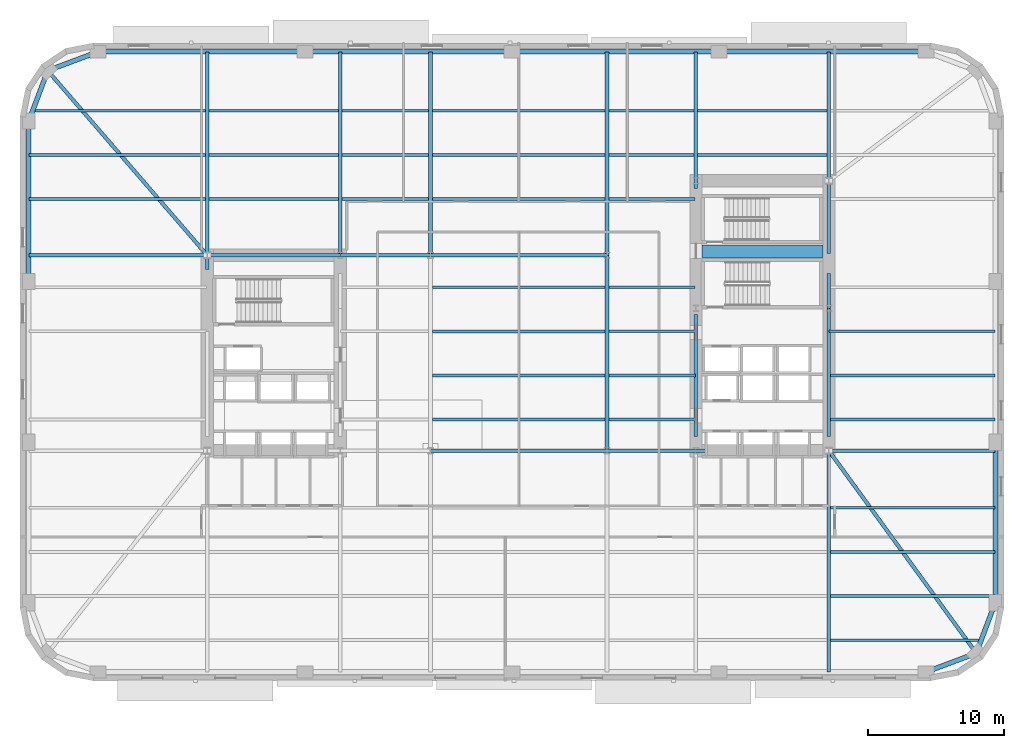
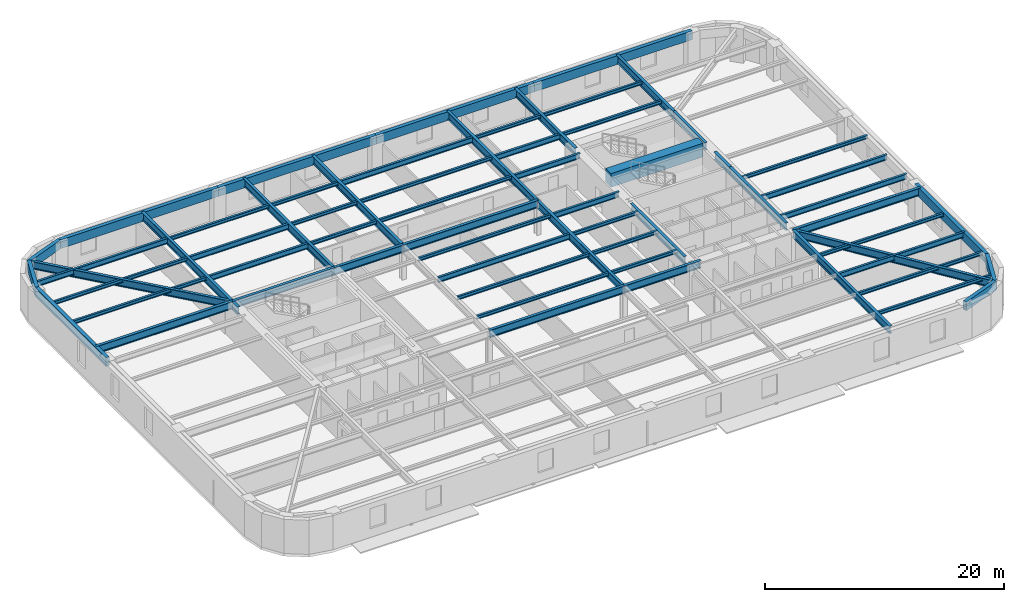
# One storey, part 2 of 15: 64 beams.
"""IFC4 building model written with IfcOpenShell, lengths in metres."""

from ifc_helpers import new_model, si_unit, direction, frame, origin, origin_2d, place, context, subcontext, project, spatial, rectangle, hollow_rectangle, i_section, extrude, material, material_profile, profile_set, type_object, element, save


model = new_model("IFC4")

# Units and contexts
model_context = context("Model", 3, precision=1e-05, world=origin(), true_north=direction((0.0, 1.0)))
body_context = subcontext(model_context, "Body", "Model", "MODEL_VIEW")
ifc_project = project(units=[si_unit("LENGTHUNIT", "METRE"), si_unit("AREAUNIT", "SQUARE_METRE"), si_unit("VOLUMEUNIT", "CUBIC_METRE"), si_unit("PLANEANGLEUNIT", "RADIAN"), si_unit("MASSUNIT", "GRAM", prefix="KILO")], contexts=[model_context])

# Site, building, storey
site_placement = place(None, origin())
site = spatial("IfcSite", under=ifc_project, at=site_placement, CompositionType="ELEMENT")
building_placement = place(site_placement, origin())
building = spatial("IfcBuilding", under=site, at=building_placement, Name="Kolvaren Arena Tower", CompositionType="ELEMENT")
storey_placement = place(building_placement, frame((0.0, 0.0, 45.75)))
storey = spatial("IfcBuildingStorey", under=building, at=storey_placement, Name="L08", CompositionType="ELEMENT", Elevation=45.75)

# Beams
ifc_material_1 = material(Name="Steel CSA G40.21 350W", Category="steel")
ifc_material_profile_1 = material_profile(ifc_material_1, i_section(OverallWidth=0.2119140625, OverallDepth=0.54296875, WebThickness=0.01318359375, FlangeThickness=0.0244140625, FilletRadius=0.013916015625, at=origin_2d()), Name="W530x150")
ifc_profile_set_1 = profile_set([ifc_material_profile_1], Name="Steel CSA G40.21 350W")
beam_type_1 = type_object("IfcBeamType", Name="BEAM-F1", PredefinedType="BEAM", material=ifc_profile_set_1)
beam_1_placement = place(storey_placement, frame((60.485107421875, 12.0, 3.20849609375), z_axis=(1.0, 0.0, 0.0), x_axis=(0.0, 1.0, 0.0)))
element("IfcBeam", 1, at=beam_1_placement, inside=storey, type_object=beam_type_1, Name="Composite Floor Beam (L08)", PredefinedType="BEAM", context=body_context, shape_type="SweptSolid", body=[
    extrude(i_section(OverallWidth=0.2119140625, OverallDepth=0.54296875, WebThickness=0.01318359375, FlangeThickness=0.0244140625, FilletRadius=0.013916015625, at=origin_2d()), origin(), (0.0, 0.0, 1.0), 12.114990234375),
])
for number, where, z_axis, x_axis, name in (
    (2, (60.3701171875, 21.75, 3.20849609375), (1.0, 0.0, 0.0), (0.0, 1.0, 0.0), "Composite Floor Beam (L08)"),
    (3, (60.3701171875, 25.0, 3.20849609375), (1.0, 0.0, 0.0), (0.0, 1.0, 0.0), "Composite Floor Beam (L08)"),
):
    element("IfcBeam", number, at=place(storey_placement, frame(where, z_axis=z_axis, x_axis=x_axis)), inside=storey, type_object=beam_type_1, Name=name, PredefinedType="BEAM", context=body_context, shape_type="SweptSolid", body=[
        extrude(i_section(OverallWidth=0.2119140625, OverallDepth=0.54296875, WebThickness=0.01318359375, FlangeThickness=0.0244140625, FilletRadius=0.013916015625, at=origin_2d()), origin(), (0.0, 0.0, 1.0), 12.22998046875),
    ])
beam_2_placement = place(storey_placement, frame((31.135009765625, 28.25, 3.20849609375), z_axis=(1.0, 0.0, 0.0), x_axis=(0.0, 1.0, 0.0)))
element("IfcBeam", 4, at=beam_2_placement, inside=storey, type_object=beam_type_1, Name="Composite Floor Beam (L08)", PredefinedType="BEAM", context=body_context, shape_type="SweptSolid", body=[
    extrude(i_section(OverallWidth=0.2119140625, OverallDepth=0.54296875, WebThickness=0.01318359375, FlangeThickness=0.0244140625, FilletRadius=0.013916015625, at=origin_2d()), origin(), (0.0, 0.0, 1.0), 12.72998046875),
])
beam_3_placement = place(storey_placement, frame((44.135009765625, 31.5, 3.20849609375), z_axis=(1.0, 0.0, 0.0), x_axis=(0.0, 1.0, 0.0)))
element("IfcBeam", 5, at=beam_3_placement, inside=storey, type_object=beam_type_1, Name="Composite Floor Beam (L08)", PredefinedType="BEAM", context=body_context, shape_type="SweptSolid", body=[
    extrude(i_section(OverallWidth=0.2119140625, OverallDepth=0.54296875, WebThickness=0.01318359375, FlangeThickness=0.0244140625, FilletRadius=0.013916015625, at=origin_2d()), origin(), (0.0, 0.0, 1.0), 6.344970703125),
])
beam_4_placement = place(storey_placement, frame((14.68505859375, 38.0, 3.20849609375), z_axis=(1.0, 0.0, 0.0), x_axis=(0.0, 1.0, 0.0)))
element("IfcBeam", 6, at=beam_4_placement, inside=storey, type_object=beam_type_1, Name="Composite Floor Beam (L08)", PredefinedType="BEAM", context=body_context, shape_type="SweptSolid", body=[
    extrude(i_section(OverallWidth=0.2119140625, OverallDepth=0.54296875, WebThickness=0.01318359375, FlangeThickness=0.0244140625, FilletRadius=0.013916015625, at=origin_2d()), origin(), (0.0, 0.0, 1.0), 9.530029296875),
])
beam_5_placement = place(storey_placement, frame((44.135009765625, 38.0, 3.20849609375), z_axis=(1.0, 0.0, 0.0), x_axis=(0.0, 1.0, 0.0)))
element("IfcBeam", 7, at=beam_5_placement, inside=storey, type_object=beam_type_1, Name="Composite Floor Beam (L08)", PredefinedType="BEAM", context=body_context, shape_type="SweptSolid", body=[
    extrude(i_section(OverallWidth=0.2119140625, OverallDepth=0.54296875, WebThickness=0.01318359375, FlangeThickness=0.0244140625, FilletRadius=0.013916015625, at=origin_2d()), origin(), (0.0, 0.0, 1.0), 6.344970703125),
])
beam_6_placement = place(storey_placement, frame((14.68505859375, 41.25, 3.20849609375), z_axis=(1.0, 0.0, 0.0), x_axis=(0.0, 1.0, 0.0)))
element("IfcBeam", 8, at=beam_6_placement, inside=storey, type_object=beam_type_1, Name="Composite Floor Beam (L08)", PredefinedType="BEAM", context=body_context, shape_type="SweptSolid", body=[
    extrude(i_section(OverallWidth=0.2119140625, OverallDepth=0.54296875, WebThickness=0.01318359375, FlangeThickness=0.0244140625, FilletRadius=0.013916015625, at=origin_2d()), origin(), (0.0, 0.0, 1.0), 9.530029296875),
])
beam_7_placement = place(storey_placement, frame((44.135009765625, 41.25, 3.20849609375), z_axis=(1.0, 0.0, 0.0), x_axis=(0.0, 1.0, 0.0)))
element("IfcBeam", 9, at=beam_7_placement, inside=storey, type_object=beam_type_1, Name="Composite Floor Beam (L08)", PredefinedType="BEAM", context=body_context, shape_type="SweptSolid", body=[
    extrude(i_section(OverallWidth=0.2119140625, OverallDepth=0.54296875, WebThickness=0.01318359375, FlangeThickness=0.0244140625, FilletRadius=0.013916015625, at=origin_2d()), origin(), (0.0, 0.0, 1.0), 6.280029296875),
])
beam_8_placement = place(storey_placement, frame((1.681396484375, 44.5, 3.20849609375), z_axis=(1.0, 0.0, 0.0), x_axis=(0.0, 1.0, 0.0)))
element("IfcBeam", 10, at=beam_8_placement, inside=storey, type_object=beam_type_1, Name="Composite Floor Beam (L08)", PredefinedType="BEAM", context=body_context, shape_type="SweptSolid", body=[
    extrude(i_section(OverallWidth=0.2119140625, OverallDepth=0.54296875, WebThickness=0.01318359375, FlangeThickness=0.0244140625, FilletRadius=0.013916015625, at=origin_2d()), origin(), (0.0, 0.0, 1.0), 12.733642578125),
])
beam_9_placement = place(storey_placement, frame((31.135009765625, 44.5, 3.20849609375), z_axis=(1.0, 0.0, 0.0), x_axis=(0.0, 1.0, 0.0)))
element("IfcBeam", 11, at=beam_9_placement, inside=storey, type_object=beam_type_1, Name="Composite Floor Beam (L08)", PredefinedType="BEAM", context=body_context, shape_type="SweptSolid", body=[
    extrude(i_section(OverallWidth=0.2119140625, OverallDepth=0.54296875, WebThickness=0.01318359375, FlangeThickness=0.0244140625, FilletRadius=0.013916015625, at=origin_2d()), origin(), (0.0, 0.0, 1.0), 12.72998046875),
])
ifc_material_2 = material(Name="Concrete 75 MPa", Category="concrete")
ifc_material_profile_2 = material_profile(ifc_material_2, rectangle(XDim=0.89990234375, YDim=1.39990234375, at=origin_2d()), Name="RC-900x1400")
ifc_profile_set_2 = profile_set([ifc_material_profile_2], Name="Concrete 75 MPa")
beam_type_2 = type_object("IfcBeamType", Name="CB-CORE-1", PredefinedType="BEAM", material=ifc_profile_set_2)
beam_10_placement = place(storey_placement, frame((51.0, 34.14990234375, 3.050048828125), z_axis=(1.0, 0.0, 0.0), x_axis=(0.0, 1.0, 0.0)))
element("IfcBeam", 12, at=beam_10_placement, inside=storey, type_object=beam_type_2, Name="East Core Coupling Beam (L08)", PredefinedType="BEAM", context=body_context, shape_type="SweptSolid", body=[
    extrude(rectangle(XDim=0.89990234375, YDim=1.39990234375, at=origin_2d()), origin(), (0.0, 0.0, 1.0), 8.89990234375),
])
ifc_material_profile_3 = material_profile(ifc_material_1, i_section(OverallWidth=0.27001953125, OverallDepth=0.77294921875, WebThickness=0.019287109375, FlangeThickness=0.033447265625, FilletRadius=0.01806640625, at=origin_2d()), Name="W760x257")
ifc_profile_set_3 = profile_set([ifc_material_profile_3], Name="Steel CSA G40.21 350W")
beam_type_3 = type_object("IfcBeamType", Name="GIRD-T1", PredefinedType="BEAM", material=ifc_profile_set_3)
beam_11_placement = place(storey_placement, frame((71.208740234375, 4.541259765625, 3.093505859375), z_axis=(-0.588737448901, 0.80832432616, 0.0), x_axis=(-0.80832432616, -0.588737448901, 0.0)))
element("IfcBeam", 13, at=beam_11_placement, inside=storey, type_object=beam_type_3, Name="Corner Diagonal Tie Girder (L08)", PredefinedType="BEAM", context=body_context, shape_type="SweptSolid", body=[
    extrude(i_section(OverallWidth=0.27001953125, OverallDepth=0.77294921875, WebThickness=0.019287109375, FlangeThickness=0.033447265625, FilletRadius=0.01806640625, at=origin_2d()), origin(), (0.0, 0.0, 1.0), 18.44384765625),
])
beam_12_placement = place(storey_placement, frame((2.791259765625, 47.458740234375, 3.093505859375), z_axis=(0.653806810332, -0.756661519283, 0.0), x_axis=(0.756661519283, 0.653806810332, 0.0)))
element("IfcBeam", 14, at=beam_12_placement, inside=storey, type_object=beam_type_3, Name="Corner Diagonal Tie Girder (L08)", PredefinedType="BEAM", context=body_context, shape_type="SweptSolid", body=[
    extrude(i_section(OverallWidth=0.27001953125, OverallDepth=0.77294921875, WebThickness=0.019287109375, FlangeThickness=0.033447265625, FilletRadius=0.01806640625, at=origin_2d()), origin(), (0.0, 0.0, 1.0), 17.985107421875),
])
beam_13_placement = place(storey_placement, frame((31.0, 19.449951171875, 3.093505859375), z_axis=(1.0, 0.0, 0.0), x_axis=(0.0, 1.0, 0.0)))
element("IfcBeam", 15, at=beam_13_placement, inside=storey, type_object=beam_type_3, Name="Primary Floor Girder (L08)", PredefinedType="BEAM", context=body_context, shape_type="SweptSolid", body=[
    extrude(i_section(OverallWidth=0.27001953125, OverallDepth=0.77294921875, WebThickness=0.019287109375, FlangeThickness=0.033447265625, FilletRadius=0.01806640625, at=origin_2d()), origin(), (0.0, 0.0, 1.0), 13.0),
])
beam_14_placement = place(storey_placement, frame((44.0, 19.449951171875, 3.093505859375), z_axis=(1.0, 0.0, 0.0), x_axis=(0.0, 1.0, 0.0)))
element("IfcBeam", 16, at=beam_14_placement, inside=storey, type_object=beam_type_3, Name="Primary Floor Girder (L08)", PredefinedType="BEAM", context=body_context, shape_type="SweptSolid", body=[
    extrude(i_section(OverallWidth=0.27001953125, OverallDepth=0.77294921875, WebThickness=0.019287109375, FlangeThickness=0.033447265625, FilletRadius=0.01806640625, at=origin_2d()), origin(), (0.0, 0.0, 1.0), 7.4150390625),
])
beam_15_placement = place(storey_placement, frame((60.35009765625, 19.449951171875, 3.093505859375), z_axis=(1.0, 0.0, 0.0), x_axis=(0.0, 1.0, 0.0)))
element("IfcBeam", 17, at=beam_15_placement, inside=storey, type_object=beam_type_3, Name="Primary Floor Girder (L08)", PredefinedType="BEAM", context=body_context, shape_type="SweptSolid", body=[
    extrude(i_section(OverallWidth=0.27001953125, OverallDepth=0.77294921875, WebThickness=0.019287109375, FlangeThickness=0.033447265625, FilletRadius=0.01806640625, at=origin_2d()), origin(), (0.0, 0.0, 1.0), 12.25),
])
beam_16_placement = place(storey_placement, frame((1.39990234375, 33.85009765625, 3.093505859375), z_axis=(1.0, 0.0, 0.0), x_axis=(0.0, 1.0, 0.0)))
element("IfcBeam", 18, at=beam_16_placement, inside=storey, type_object=beam_type_3, Name="Primary Floor Girder (L08)", PredefinedType="BEAM", context=body_context, shape_type="SweptSolid", body=[
    extrude(i_section(OverallWidth=0.27001953125, OverallDepth=0.77294921875, WebThickness=0.019287109375, FlangeThickness=0.033447265625, FilletRadius=0.01806640625, at=origin_2d()), origin(), (0.0, 0.0, 1.0), 13.150146484375),
])
beam_17_placement = place(storey_placement, frame((14.550048828125, 33.85009765625, 3.093505859375), z_axis=(1.0, 0.0, 0.0), x_axis=(0.0, 1.0, 0.0)))
element("IfcBeam", 19, at=beam_17_placement, inside=storey, type_object=beam_type_3, Name="Primary Floor Girder (L08)", PredefinedType="BEAM", context=body_context, shape_type="SweptSolid", body=[
    extrude(i_section(OverallWidth=0.27001953125, OverallDepth=0.77294921875, WebThickness=0.019287109375, FlangeThickness=0.033447265625, FilletRadius=0.01806640625, at=origin_2d()), origin(), (0.0, 0.0, 1.0), 9.800048828125),
])
beam_18_placement = place(storey_placement, frame((24.35009765625, 33.85009765625, 3.093505859375), z_axis=(1.0, 0.0, 0.0), x_axis=(0.0, 1.0, 0.0)))
element("IfcBeam", 20, at=beam_18_placement, inside=storey, type_object=beam_type_3, Name="Primary Floor Girder (L08)", PredefinedType="BEAM", context=body_context, shape_type="SweptSolid", body=[
    extrude(i_section(OverallWidth=0.27001953125, OverallDepth=0.77294921875, WebThickness=0.019287109375, FlangeThickness=0.033447265625, FilletRadius=0.01806640625, at=origin_2d()), origin(), (0.0, 0.0, 1.0), 6.64990234375),
])
beam_19_placement = place(storey_placement, frame((31.0, 33.85009765625, 3.093505859375), z_axis=(1.0, 0.0, 0.0), x_axis=(0.0, 1.0, 0.0)))
element("IfcBeam", 21, at=beam_19_placement, inside=storey, type_object=beam_type_3, Name="Primary Floor Girder (L08)", PredefinedType="BEAM", context=body_context, shape_type="SweptSolid", body=[
    extrude(i_section(OverallWidth=0.27001953125, OverallDepth=0.77294921875, WebThickness=0.019287109375, FlangeThickness=0.033447265625, FilletRadius=0.01806640625, at=origin_2d()), origin(), (0.0, 0.0, 1.0), 13.0),
])
beam_20_placement = place(storey_placement, frame((14.550048828125, 32.7900390625, 3.093505859375), z_axis=(0.0, 1.0, 0.0), x_axis=(-1.0, 0.0, 0.0)))
element("IfcBeam", 22, at=beam_20_placement, inside=storey, type_object=beam_type_3, Name="Primary Floor Girder (L08)", PredefinedType="BEAM", context=body_context, shape_type="SweptSolid", body=[
    extrude(i_section(OverallWidth=0.27001953125, OverallDepth=0.77294921875, WebThickness=0.019287109375, FlangeThickness=0.033447265625, FilletRadius=0.01806640625, at=origin_2d()), origin(), (0.0, 0.0, 1.0), 16.06005859375),
])
for number, where, z_axis, x_axis, name in (
    (23, (24.35009765625, 33.85009765625, 3.093505859375), (0.0, 1.0, 0.0), (-1.0, 0.0, 0.0), "Primary Floor Girder (L08)"),
    (24, (31.0, 33.85009765625, 3.093505859375), (0.0, 1.0, 0.0), (-1.0, 0.0, 0.0), "Primary Floor Girder (L08)"),
):
    element("IfcBeam", number, at=place(storey_placement, frame(where, z_axis=z_axis, x_axis=x_axis)), inside=storey, type_object=beam_type_3, Name=name, PredefinedType="BEAM", context=body_context, shape_type="SweptSolid", body=[
        extrude(i_section(OverallWidth=0.27001953125, OverallDepth=0.77294921875, WebThickness=0.019287109375, FlangeThickness=0.033447265625, FilletRadius=0.01806640625, at=origin_2d()), origin(), (0.0, 0.0, 1.0), 15.0),
    ])
beam_21_placement = place(storey_placement, frame((44.0, 19.449951171875, 3.093505859375), z_axis=(0.0, 1.0, 0.0), x_axis=(-1.0, 0.0, 0.0)))
element("IfcBeam", 25, at=beam_21_placement, inside=storey, type_object=beam_type_3, Name="Primary Floor Girder (L08)", PredefinedType="BEAM", context=body_context, shape_type="SweptSolid", body=[
    extrude(i_section(OverallWidth=0.27001953125, OverallDepth=0.77294921875, WebThickness=0.019287109375, FlangeThickness=0.033447265625, FilletRadius=0.01806640625, at=origin_2d()), origin(), (0.0, 0.0, 1.0), 14.400146484375),
])
beam_22_placement = place(storey_placement, frame((44.0, 33.85009765625, 3.093505859375), z_axis=(0.0, 1.0, 0.0), x_axis=(-1.0, 0.0, 0.0)))
element("IfcBeam", 26, at=beam_22_placement, inside=storey, type_object=beam_type_3, Name="Primary Floor Girder (L08)", PredefinedType="BEAM", context=body_context, shape_type="SweptSolid", body=[
    extrude(i_section(OverallWidth=0.27001953125, OverallDepth=0.77294921875, WebThickness=0.019287109375, FlangeThickness=0.033447265625, FilletRadius=0.01806640625, at=origin_2d()), origin(), (0.0, 0.0, 1.0), 15.0),
])
beam_23_placement = place(storey_placement, frame((50.550048828125, 20.5, 3.093505859375), z_axis=(0.0, 1.0, 0.0), x_axis=(-1.0, 0.0, 0.0)))
element("IfcBeam", 27, at=beam_23_placement, inside=storey, type_object=beam_type_3, Name="Primary Floor Girder (L08)", PredefinedType="BEAM", context=body_context, shape_type="SweptSolid", body=[
    extrude(i_section(OverallWidth=0.27001953125, OverallDepth=0.77294921875, WebThickness=0.019287109375, FlangeThickness=0.033447265625, FilletRadius=0.01806640625, at=origin_2d()), origin(), (0.0, 0.0, 1.0), 8.989990234375),
])
beam_24_placement = place(storey_placement, frame((50.550048828125, 38.760009765625, 3.093505859375), z_axis=(0.0, 1.0, 0.0), x_axis=(-1.0, 0.0, 0.0)))
element("IfcBeam", 28, at=beam_24_placement, inside=storey, type_object=beam_type_3, Name="Primary Floor Girder (L08)", PredefinedType="BEAM", context=body_context, shape_type="SweptSolid", body=[
    extrude(i_section(OverallWidth=0.27001953125, OverallDepth=0.77294921875, WebThickness=0.019287109375, FlangeThickness=0.033447265625, FilletRadius=0.01806640625, at=origin_2d()), origin(), (0.0, 0.0, 1.0), 10.090087890625),
])
beam_25_placement = place(storey_placement, frame((60.35009765625, 3.14990234375, 3.093505859375), z_axis=(0.0, 1.0, 0.0), x_axis=(-1.0, 0.0, 0.0)))
element("IfcBeam", 29, at=beam_25_placement, inside=storey, type_object=beam_type_3, Name="Primary Floor Girder (L08)", PredefinedType="BEAM", context=body_context, shape_type="SweptSolid", body=[
    extrude(i_section(OverallWidth=0.27001953125, OverallDepth=0.77294921875, WebThickness=0.019287109375, FlangeThickness=0.033447265625, FilletRadius=0.01806640625, at=origin_2d()), origin(), (0.0, 0.0, 1.0), 16.300048828125),
])
beam_26_placement = place(storey_placement, frame((60.35009765625, 20.5, 3.093505859375), z_axis=(0.0, 1.0, 0.0), x_axis=(-1.0, 0.0, 0.0)))
element("IfcBeam", 30, at=beam_26_placement, inside=storey, type_object=beam_type_3, Name="Primary Floor Girder (L08)", PredefinedType="BEAM", context=body_context, shape_type="SweptSolid", body=[
    extrude(i_section(OverallWidth=0.27001953125, OverallDepth=0.77294921875, WebThickness=0.019287109375, FlangeThickness=0.033447265625, FilletRadius=0.01806640625, at=origin_2d()), origin(), (0.0, 0.0, 1.0), 9.449951171875),
])
beam_27_placement = place(storey_placement, frame((60.35009765625, 29.949951171875, 3.093505859375), z_axis=(0.0, 1.0, 0.0), x_axis=(-1.0, 0.0, 0.0)))
element("IfcBeam", 31, at=beam_27_placement, inside=storey, type_object=beam_type_3, Name="Primary Floor Girder (L08)", PredefinedType="BEAM", context=body_context, shape_type="SweptSolid", body=[
    extrude(i_section(OverallWidth=0.27001953125, OverallDepth=0.77294921875, WebThickness=0.019287109375, FlangeThickness=0.033447265625, FilletRadius=0.01806640625, at=origin_2d()), origin(), (0.0, 0.0, 1.0), 2.550048828125),
])
beam_28_placement = place(storey_placement, frame((60.35009765625, 33.985107421875, 3.093505859375), z_axis=(0.0, 1.0, 0.0), x_axis=(-1.0, 0.0, 0.0)))
element("IfcBeam", 32, at=beam_28_placement, inside=storey, type_object=beam_type_3, Name="Primary Floor Girder (L08)", PredefinedType="BEAM", context=body_context, shape_type="SweptSolid", body=[
    extrude(i_section(OverallWidth=0.27001953125, OverallDepth=0.77294921875, WebThickness=0.019287109375, FlangeThickness=0.033447265625, FilletRadius=0.01806640625, at=origin_2d()), origin(), (0.0, 0.0, 1.0), 5.364990234375),
])
beam_29_placement = place(storey_placement, frame((60.35009765625, 39.35009765625, 3.093505859375), z_axis=(0.0, 1.0, 0.0), x_axis=(-1.0, 0.0, 0.0)))
element("IfcBeam", 33, at=beam_29_placement, inside=storey, type_object=beam_type_3, Name="Primary Floor Girder (L08)", PredefinedType="BEAM", context=body_context, shape_type="SweptSolid", body=[
    extrude(i_section(OverallWidth=0.27001953125, OverallDepth=0.77294921875, WebThickness=0.019287109375, FlangeThickness=0.033447265625, FilletRadius=0.01806640625, at=origin_2d()), origin(), (0.0, 0.0, 1.0), 9.5),
])
ifc_material_profile_4 = material_profile(ifc_material_1, i_section(OverallWidth=0.202880859375, OverallDepth=0.346923828125, WebThickness=0.0078125, FlangeThickness=0.013427734375, FilletRadius=0.010986328125, at=origin_2d()), Name="W360x64")
ifc_profile_set_4 = profile_set([ifc_material_profile_4], Name="Steel CSA G40.21 350W")
beam_type_4 = type_object("IfcBeamType", Name="JOIST-01", PredefinedType="JOIST", material=ifc_profile_set_4)
beam_30_placement = place(storey_placement, frame((60.485107421875, 5.5, 3.306396484375), z_axis=(1.0, 0.0, 0.0), x_axis=(0.0, 1.0, 0.0)))
element("IfcBeam", 34, at=beam_30_placement, inside=storey, type_object=beam_type_4, Name="Composite Floor Joist (L08)", PredefinedType="JOIST", context=body_context, shape_type="SweptSolid", body=[
    extrude(i_section(OverallWidth=0.202880859375, OverallDepth=0.346923828125, WebThickness=0.0078125, FlangeThickness=0.013427734375, FilletRadius=0.010986328125, at=origin_2d()), origin(), (0.0, 0.0, 1.0), 11.08349609375),
])
for number, where, z_axis, x_axis, name in (
    (35, (60.485107421875, 8.75, 3.306396484375), (1.0, 0.0, 0.0), (0.0, 1.0, 0.0), "Composite Floor Joist (L08)"),
    (36, (60.485107421875, 15.25, 3.306396484375), (1.0, 0.0, 0.0), (0.0, 1.0, 0.0), "Composite Floor Joist (L08)"),
):
    element("IfcBeam", number, at=place(storey_placement, frame(where, z_axis=z_axis, x_axis=x_axis)), inside=storey, type_object=beam_type_4, Name=name, PredefinedType="JOIST", context=body_context, shape_type="SweptSolid", body=[
        extrude(i_section(OverallWidth=0.202880859375, OverallDepth=0.346923828125, WebThickness=0.0078125, FlangeThickness=0.013427734375, FilletRadius=0.010986328125, at=origin_2d()), origin(), (0.0, 0.0, 1.0), 12.114990234375),
    ])
beam_31_placement = place(storey_placement, frame((31.135009765625, 21.75, 3.306396484375), z_axis=(1.0, 0.0, 0.0), x_axis=(0.0, 1.0, 0.0)))
element("IfcBeam", 37, at=beam_31_placement, inside=storey, type_object=beam_type_4, Name="Composite Floor Joist (L08)", PredefinedType="JOIST", context=body_context, shape_type="SweptSolid", body=[
    extrude(i_section(OverallWidth=0.202880859375, OverallDepth=0.346923828125, WebThickness=0.0078125, FlangeThickness=0.013427734375, FilletRadius=0.010986328125, at=origin_2d()), origin(), (0.0, 0.0, 1.0), 12.72998046875),
])
beam_32_placement = place(storey_placement, frame((44.135009765625, 21.75, 3.306396484375), z_axis=(1.0, 0.0, 0.0), x_axis=(0.0, 1.0, 0.0)))
element("IfcBeam", 38, at=beam_32_placement, inside=storey, type_object=beam_type_4, Name="Composite Floor Joist (L08)", PredefinedType="JOIST", context=body_context, shape_type="SweptSolid", body=[
    extrude(i_section(OverallWidth=0.202880859375, OverallDepth=0.346923828125, WebThickness=0.0078125, FlangeThickness=0.013427734375, FilletRadius=0.010986328125, at=origin_2d()), origin(), (0.0, 0.0, 1.0), 6.39501953125),
])
beam_33_placement = place(storey_placement, frame((31.135009765625, 25.0, 3.306396484375), z_axis=(1.0, 0.0, 0.0), x_axis=(0.0, 1.0, 0.0)))
element("IfcBeam", 39, at=beam_33_placement, inside=storey, type_object=beam_type_4, Name="Composite Floor Joist (L08)", PredefinedType="JOIST", context=body_context, shape_type="SweptSolid", body=[
    extrude(i_section(OverallWidth=0.202880859375, OverallDepth=0.346923828125, WebThickness=0.0078125, FlangeThickness=0.013427734375, FilletRadius=0.010986328125, at=origin_2d()), origin(), (0.0, 0.0, 1.0), 12.72998046875),
])
for number, where, z_axis, x_axis, name in (
    (40, (44.135009765625, 25.0, 3.306396484375), (1.0, 0.0, 0.0), (0.0, 1.0, 0.0), "Composite Floor Joist (L08)"),
    (41, (44.135009765625, 28.25, 3.306396484375), (1.0, 0.0, 0.0), (0.0, 1.0, 0.0), "Composite Floor Joist (L08)"),
):
    element("IfcBeam", number, at=place(storey_placement, frame(where, z_axis=z_axis, x_axis=x_axis)), inside=storey, type_object=beam_type_4, Name=name, PredefinedType="JOIST", context=body_context, shape_type="SweptSolid", body=[
        extrude(i_section(OverallWidth=0.202880859375, OverallDepth=0.346923828125, WebThickness=0.0078125, FlangeThickness=0.013427734375, FilletRadius=0.010986328125, at=origin_2d()), origin(), (0.0, 0.0, 1.0), 6.39501953125),
    ])
beam_34_placement = place(storey_placement, frame((60.3701171875, 28.25, 3.306396484375), z_axis=(1.0, 0.0, 0.0), x_axis=(0.0, 1.0, 0.0)))
element("IfcBeam", 42, at=beam_34_placement, inside=storey, type_object=beam_type_4, Name="Composite Floor Joist (L08)", PredefinedType="JOIST", context=body_context, shape_type="SweptSolid", body=[
    extrude(i_section(OverallWidth=0.202880859375, OverallDepth=0.346923828125, WebThickness=0.0078125, FlangeThickness=0.013427734375, FilletRadius=0.010986328125, at=origin_2d()), origin(), (0.0, 0.0, 1.0), 12.22998046875),
])
beam_35_placement = place(storey_placement, frame((31.135009765625, 31.5, 3.306396484375), z_axis=(1.0, 0.0, 0.0), x_axis=(0.0, 1.0, 0.0)))
element("IfcBeam", 43, at=beam_35_placement, inside=storey, type_object=beam_type_4, Name="Composite Floor Joist (L08)", PredefinedType="JOIST", context=body_context, shape_type="SweptSolid", body=[
    extrude(i_section(OverallWidth=0.202880859375, OverallDepth=0.346923828125, WebThickness=0.0078125, FlangeThickness=0.013427734375, FilletRadius=0.010986328125, at=origin_2d()), origin(), (0.0, 0.0, 1.0), 12.72998046875),
])
beam_36_placement = place(storey_placement, frame((1.39990234375, 38.0, 3.306396484375), z_axis=(1.0, 0.0, 0.0), x_axis=(0.0, 1.0, 0.0)))
element("IfcBeam", 44, at=beam_36_placement, inside=storey, type_object=beam_type_4, Name="Composite Floor Joist (L08)", PredefinedType="JOIST", context=body_context, shape_type="SweptSolid", body=[
    extrude(i_section(OverallWidth=0.202880859375, OverallDepth=0.346923828125, WebThickness=0.0078125, FlangeThickness=0.013427734375, FilletRadius=0.010986328125, at=origin_2d()), origin(), (0.0, 0.0, 1.0), 13.01513671875),
])
beam_37_placement = place(storey_placement, frame((24.485107421875, 38.0, 3.306396484375), z_axis=(1.0, 0.0, 0.0), x_axis=(0.0, 1.0, 0.0)))
element("IfcBeam", 45, at=beam_37_placement, inside=storey, type_object=beam_type_4, Name="Composite Floor Joist (L08)", PredefinedType="JOIST", context=body_context, shape_type="SweptSolid", body=[
    extrude(i_section(OverallWidth=0.202880859375, OverallDepth=0.346923828125, WebThickness=0.0078125, FlangeThickness=0.013427734375, FilletRadius=0.010986328125, at=origin_2d()), origin(), (0.0, 0.0, 1.0), 6.3798828125),
])
beam_38_placement = place(storey_placement, frame((31.135009765625, 38.0, 3.306396484375), z_axis=(1.0, 0.0, 0.0), x_axis=(0.0, 1.0, 0.0)))
element("IfcBeam", 46, at=beam_38_placement, inside=storey, type_object=beam_type_4, Name="Composite Floor Joist (L08)", PredefinedType="JOIST", context=body_context, shape_type="SweptSolid", body=[
    extrude(i_section(OverallWidth=0.202880859375, OverallDepth=0.346923828125, WebThickness=0.0078125, FlangeThickness=0.013427734375, FilletRadius=0.010986328125, at=origin_2d()), origin(), (0.0, 0.0, 1.0), 12.72998046875),
])
beam_39_placement = place(storey_placement, frame((1.39990234375, 41.25, 3.306396484375), z_axis=(1.0, 0.0, 0.0), x_axis=(0.0, 1.0, 0.0)))
element("IfcBeam", 47, at=beam_39_placement, inside=storey, type_object=beam_type_4, Name="Composite Floor Joist (L08)", PredefinedType="JOIST", context=body_context, shape_type="SweptSolid", body=[
    extrude(i_section(OverallWidth=0.202880859375, OverallDepth=0.346923828125, WebThickness=0.0078125, FlangeThickness=0.013427734375, FilletRadius=0.010986328125, at=origin_2d()), origin(), (0.0, 0.0, 1.0), 13.01513671875),
])
beam_40_placement = place(storey_placement, frame((24.485107421875, 41.25, 3.306396484375), z_axis=(1.0, 0.0, 0.0), x_axis=(0.0, 1.0, 0.0)))
element("IfcBeam", 48, at=beam_40_placement, inside=storey, type_object=beam_type_4, Name="Composite Floor Joist (L08)", PredefinedType="JOIST", context=body_context, shape_type="SweptSolid", body=[
    extrude(i_section(OverallWidth=0.202880859375, OverallDepth=0.346923828125, WebThickness=0.0078125, FlangeThickness=0.013427734375, FilletRadius=0.010986328125, at=origin_2d()), origin(), (0.0, 0.0, 1.0), 6.3798828125),
])
beam_41_placement = place(storey_placement, frame((31.135009765625, 41.25, 3.306396484375), z_axis=(1.0, 0.0, 0.0), x_axis=(0.0, 1.0, 0.0)))
element("IfcBeam", 49, at=beam_41_placement, inside=storey, type_object=beam_type_4, Name="Composite Floor Joist (L08)", PredefinedType="JOIST", context=body_context, shape_type="SweptSolid", body=[
    extrude(i_section(OverallWidth=0.202880859375, OverallDepth=0.346923828125, WebThickness=0.0078125, FlangeThickness=0.013427734375, FilletRadius=0.010986328125, at=origin_2d()), origin(), (0.0, 0.0, 1.0), 12.72998046875),
])
for number, where, z_axis, x_axis, name in (
    (50, (50.68505859375, 41.25, 3.306396484375), (1.0, 0.0, 0.0), (0.0, 1.0, 0.0), "Composite Floor Joist (L08)"),
    (51, (14.68505859375, 44.5, 3.306396484375), (1.0, 0.0, 0.0), (0.0, 1.0, 0.0), "Composite Floor Joist (L08)"),
):
    element("IfcBeam", number, at=place(storey_placement, frame(where, z_axis=z_axis, x_axis=x_axis)), inside=storey, type_object=beam_type_4, Name=name, PredefinedType="JOIST", context=body_context, shape_type="SweptSolid", body=[
        extrude(i_section(OverallWidth=0.202880859375, OverallDepth=0.346923828125, WebThickness=0.0078125, FlangeThickness=0.013427734375, FilletRadius=0.010986328125, at=origin_2d()), origin(), (0.0, 0.0, 1.0), 9.530029296875),
    ])
beam_42_placement = place(storey_placement, frame((24.485107421875, 44.5, 3.306396484375), z_axis=(1.0, 0.0, 0.0), x_axis=(0.0, 1.0, 0.0)))
element("IfcBeam", 52, at=beam_42_placement, inside=storey, type_object=beam_type_4, Name="Composite Floor Joist (L08)", PredefinedType="JOIST", context=body_context, shape_type="SweptSolid", body=[
    extrude(i_section(OverallWidth=0.202880859375, OverallDepth=0.346923828125, WebThickness=0.0078125, FlangeThickness=0.013427734375, FilletRadius=0.010986328125, at=origin_2d()), origin(), (0.0, 0.0, 1.0), 6.3798828125),
])
beam_43_placement = place(storey_placement, frame((44.135009765625, 44.5, 3.306396484375), z_axis=(1.0, 0.0, 0.0), x_axis=(0.0, 1.0, 0.0)))
element("IfcBeam", 53, at=beam_43_placement, inside=storey, type_object=beam_type_4, Name="Composite Floor Joist (L08)", PredefinedType="JOIST", context=body_context, shape_type="SweptSolid", body=[
    extrude(i_section(OverallWidth=0.202880859375, OverallDepth=0.346923828125, WebThickness=0.0078125, FlangeThickness=0.013427734375, FilletRadius=0.010986328125, at=origin_2d()), origin(), (0.0, 0.0, 1.0), 6.280029296875),
])
beam_44_placement = place(storey_placement, frame((50.68505859375, 44.5, 3.306396484375), z_axis=(1.0, 0.0, 0.0), x_axis=(0.0, 1.0, 0.0)))
element("IfcBeam", 54, at=beam_44_placement, inside=storey, type_object=beam_type_4, Name="Composite Floor Joist (L08)", PredefinedType="JOIST", context=body_context, shape_type="SweptSolid", body=[
    extrude(i_section(OverallWidth=0.202880859375, OverallDepth=0.346923828125, WebThickness=0.0078125, FlangeThickness=0.013427734375, FilletRadius=0.010986328125, at=origin_2d()), origin(), (0.0, 0.0, 1.0), 9.530029296875),
])
ifc_material_3 = material(Name="Steel CSA G40.21 350WT", Category="steel")
ifc_material_profile_5 = material_profile(ifc_material_3, hollow_rectangle(XDim=0.35009765625, YDim=0.89990234375, WallThickness=0.02001953125, at=origin_2d()), Name="HSS 900x350x20")
ifc_profile_set_5 = profile_set([ifc_material_profile_5], Name="Steel CSA G40.21 350WT")
beam_type_5 = type_object("IfcBeamType", Name="SPAND-01", PredefinedType="SPANDREL", material=ifc_profile_set_5)
for number, where, z_axis, x_axis, name in (
    (55, (67.5, 3.14990234375, 3.030029296875), (0.93628104365, 0.351251771955, 0.0), (-0.351251771955, 0.93628104365, 0.0), "Perimeter Spandrel Beam (L08)"),
    (56, (71.208740234375, 4.541259765625, 3.030029296875), (0.351251771955, 0.93628104365, 0.0), (-0.93628104365, 0.351251771955, 0.0), "Perimeter Spandrel Beam (L08)"),
):
    element("IfcBeam", number, at=place(storey_placement, frame(where, z_axis=z_axis, x_axis=x_axis)), inside=storey, type_object=beam_type_5, Name=name, PredefinedType="SPANDREL", context=body_context, shape_type="SweptSolid", body=[
        extrude(hollow_rectangle(XDim=0.35009765625, YDim=0.89990234375, WallThickness=0.02001953125, at=origin_2d()), origin(), (0.0, 0.0, 1.0), 3.961181640625),
    ])
beam_45_placement = place(storey_placement, frame((72.60009765625, 8.25, 3.030029296875), z_axis=(0.0, 1.0, 0.0), x_axis=(-1.0, 0.0, 0.0)))
element("IfcBeam", 57, at=beam_45_placement, inside=storey, type_object=beam_type_5, Name="Perimeter Spandrel Beam (L08)", PredefinedType="SPANDREL", context=body_context, shape_type="SweptSolid", body=[
    extrude(hollow_rectangle(XDim=0.35009765625, YDim=0.89990234375, WallThickness=0.02001953125, at=origin_2d()), origin(), (0.0, 0.0, 1.0), 11.833251953125),
])
for number, where, z_axis, x_axis, name in (
    (58, (67.5, 48.85009765625, 3.030029296875), (-1.0, 0.0, 0.0), (0.0, -1.0, 0.0), "Perimeter Spandrel Beam (L08)"),
    (59, (52.25, 48.85009765625, 3.030029296875), (-1.0, 0.0, 0.0), (0.0, -1.0, 0.0), "Perimeter Spandrel Beam (L08)"),
    (60, (37.0, 48.85009765625, 3.030029296875), (-1.0, 0.0, 0.0), (0.0, -1.0, 0.0), "Perimeter Spandrel Beam (L08)"),
    (61, (21.75, 48.85009765625, 3.030029296875), (-1.0, 0.0, 0.0), (0.0, -1.0, 0.0), "Perimeter Spandrel Beam (L08)"),
):
    element("IfcBeam", number, at=place(storey_placement, frame(where, z_axis=z_axis, x_axis=x_axis)), inside=storey, type_object=beam_type_5, Name=name, PredefinedType="SPANDREL", context=body_context, shape_type="SweptSolid", body=[
        extrude(hollow_rectangle(XDim=0.35009765625, YDim=0.89990234375, WallThickness=0.02001953125, at=origin_2d()), origin(), (0.0, 0.0, 1.0), 15.25),
    ])
for number, where, z_axis, x_axis, name in (
    (62, (6.5, 48.85009765625, 3.030029296875), (-0.93628104365, -0.351251771955, 0.0), (0.351251771955, -0.93628104365, 0.0), "Perimeter Spandrel Beam (L08)"),
    (63, (2.791259765625, 47.458740234375, 3.030029296875), (-0.351251771955, -0.93628104365, 0.0), (0.93628104365, -0.351251771955, 0.0), "Perimeter Spandrel Beam (L08)"),
):
    element("IfcBeam", number, at=place(storey_placement, frame(where, z_axis=z_axis, x_axis=x_axis)), inside=storey, type_object=beam_type_5, Name=name, PredefinedType="SPANDREL", context=body_context, shape_type="SweptSolid", body=[
        extrude(hollow_rectangle(XDim=0.35009765625, YDim=0.89990234375, WallThickness=0.02001953125, at=origin_2d()), origin(), (0.0, 0.0, 1.0), 3.961181640625),
    ])
beam_46_placement = place(storey_placement, frame((1.39990234375, 43.75, 3.030029296875), z_axis=(0.0, -1.0, 0.0), x_axis=(1.0, 0.0, 0.0)))
element("IfcBeam", 64, at=beam_46_placement, inside=storey, type_object=beam_type_5, Name="Perimeter Spandrel Beam (L08)", PredefinedType="SPANDREL", context=body_context, shape_type="SweptSolid", body=[
    extrude(hollow_rectangle(XDim=0.35009765625, YDim=0.89990234375, WallThickness=0.02001953125, at=origin_2d()), origin(), (0.0, 0.0, 1.0), 11.833251953125),
])

save(model, "model.ifc")
